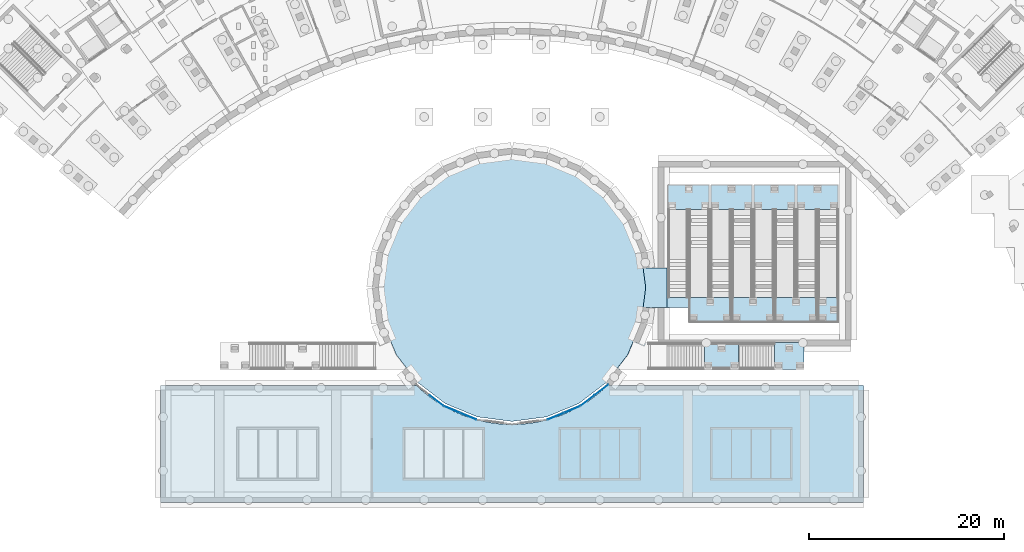
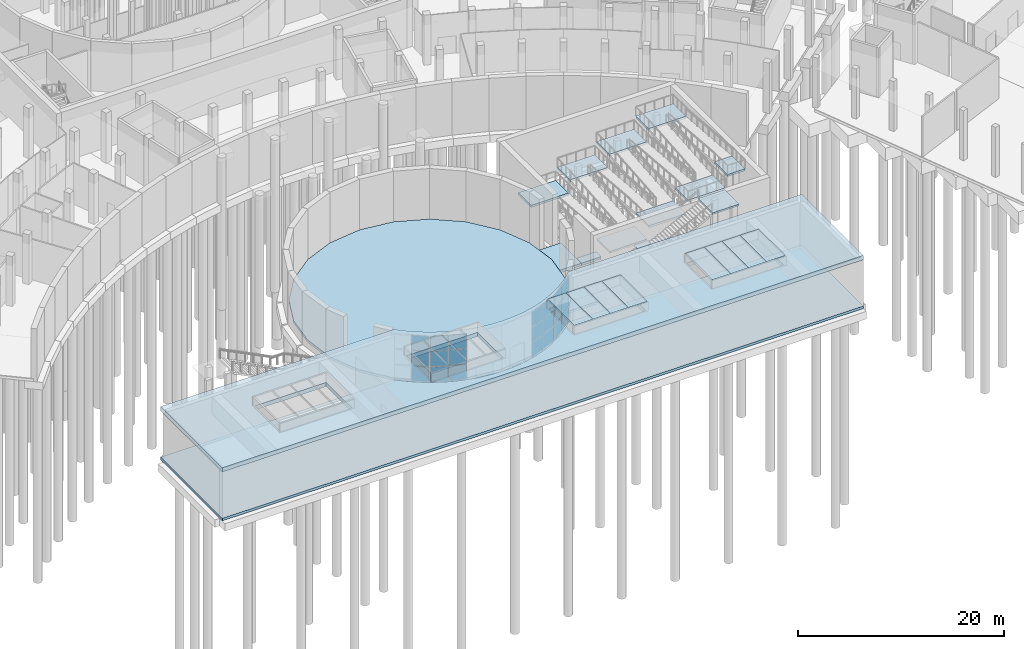
# One storey, part 16 of 66: 29 plates, 16 slabs, 13 elements without a shape of their own.
"""IFC4 building model written with IfcOpenShell, lengths in metres."""

from ifc_helpers import new_model, si_unit, direction, frame, origin, origin_2d, place, context, subcontext, project, spatial, polyline, rectangle, outline, extrude, material, layer, layer_set, type_object, element, aggregate, save


model = new_model("IFC4")

# Units and contexts
model_context = context("Model", 3, precision=1e-05, world=origin(), true_north=direction((0.0, 1.0)))
body_context = subcontext(model_context, "Body", "Model", "MODEL_VIEW")
ifc_project = project(units=[si_unit("LENGTHUNIT", "METRE"), si_unit("AREAUNIT", "SQUARE_METRE"), si_unit("VOLUMEUNIT", "CUBIC_METRE"), si_unit("PLANEANGLEUNIT", "RADIAN"), si_unit("MASSUNIT", "GRAM", prefix="KILO")], contexts=[model_context])

# Site, building, storey
site_placement = place(None, origin())
site = spatial("IfcSite", under=ifc_project, at=site_placement, CompositionType="ELEMENT")
building_placement = place(site_placement, origin())
building = spatial("IfcBuilding", under=site, at=building_placement, Name="Lunette Opera House", CompositionType="ELEMENT")
storey_placement = place(building_placement, frame((0.0, 0.0, -6.0)))
storey = spatial("IfcBuildingStorey", under=building, at=storey_placement, Name="B1", CompositionType="ELEMENT", Elevation=-6.0)

# Slabs
ifc_material_1 = material(Name="Concrete C35/45", Category="concrete")
ifc_layer_1 = layer(ifc_material_1, 0.300048828125)
ifc_layer_set_1 = layer_set([ifc_layer_1], Name="Concrete C35/45")
slab_type_1 = type_object("IfcSlabType", Name="BASE SLAB 300", PredefinedType="BASESLAB", material=ifc_layer_set_1)
slab_1_placement = place(storey_placement, frame((0.0, 0.0, -0.300048828125)))
element("IfcSlab", 1, at=slab_1_placement, inside=storey, type_object=slab_type_1, Name="slab-FC-B1-B1", PredefinedType="BASESLAB", context=body_context, shape_type="SweptSolid", body=[
    extrude(outline(polyline([(60.0, 4.0), (132.0, 4.0), (132.0, 16.0), (105.7939453125, 16.0), (105.402099609375, 15.626953125), (104.882080078125, 15.177978515625), (104.340087890625, 14.7548828125), (103.778076171875, 14.35888671875), (103.197021484375, 13.991943359375), (102.60009765625, 13.653076171875), (101.986083984375, 13.343994140625), (101.35791015625, 13.06591796875), (100.716064453125, 12.818115234375), (100.06396484375, 12.60302734375), (99.402099609375, 12.419921875), (98.73095703125, 12.26904296875), (98.053955078125, 12.152099609375), (97.3720703125, 12.06689453125), (96.68701171875, 12.01708984375), (96.0, 12.0), (95.31298828125, 12.01708984375), (94.6279296875, 12.06689453125), (93.946044921875, 12.152099609375), (93.26904296875, 12.26904296875), (92.597900390625, 12.419921875), (91.93603515625, 12.60302734375), (91.283935546875, 12.818115234375), (90.64208984375, 13.06591796875), (90.013916015625, 13.343994140625), (89.39990234375, 13.653076171875), (88.802978515625, 13.991943359375), (88.221923828125, 14.35888671875), (87.659912109375, 14.7548828125), (87.117919921875, 15.177978515625), (86.597900390625, 15.626953125), (86.2060546875, 16.0), (60.0, 16.0), (60.0, 4.0)])), origin(), (0.0, 0.0, 1.0), 0.300048828125),
])
ifc_material_2 = material(Name="Concrete C35/45", Category="concrete")
ifc_layer_2 = layer(ifc_material_2, 0.5)
ifc_layer_set_2 = layer_set([ifc_layer_2], Name="Concrete C35/45")
slab_type_2 = type_object("IfcSlabType", Name="CONCOURSE ROOF SLAB 500", PredefinedType="ROOF", material=ifc_layer_set_2)
slab_2_placement = place(storey_placement, frame((0.0, 0.0, 5.5)))
element("IfcSlab", 2, at=slab_2_placement, inside=storey, type_object=slab_type_2, Name="slab-SF-B1-CROOF", PredefinedType="ROOF", context=body_context, shape_type="SweptSolid", body=[
    extrude(outline(polyline([(132.0, 16.0), (105.7939453125, 16.0), (105.402099609375, 15.626953125), (104.882080078125, 15.177978515625), (104.340087890625, 14.7548828125), (103.778076171875, 14.35888671875), (103.197021484375, 13.991943359375), (102.60009765625, 13.653076171875), (101.986083984375, 13.343994140625), (101.35791015625, 13.06591796875), (100.716064453125, 12.818115234375), (100.06396484375, 12.60302734375), (99.402099609375, 12.419921875), (98.73095703125, 12.26904296875), (98.053955078125, 12.152099609375), (97.3720703125, 12.06689453125), (96.68701171875, 12.01708984375), (96.0, 12.0), (95.31298828125, 12.01708984375), (94.6279296875, 12.06689453125), (93.946044921875, 12.152099609375), (93.26904296875, 12.26904296875), (92.597900390625, 12.419921875), (91.93603515625, 12.60302734375), (91.283935546875, 12.818115234375), (90.64208984375, 13.06591796875), (90.013916015625, 13.343994140625), (89.39990234375, 13.653076171875), (88.802978515625, 13.991943359375), (88.221923828125, 14.35888671875), (87.659912109375, 14.7548828125), (87.117919921875, 15.177978515625), (86.597900390625, 15.626953125), (86.2060546875, 16.0), (60.0, 16.0), (60.0, 4.0), (132.0, 4.0), (132.0, 16.0)]), holes=[polyline([(68.0, 6.5), (76.0, 6.5), (76.0, 11.5), (68.0, 11.5), (68.0, 6.5)]), polyline([(85.0, 6.5), (93.0, 6.5), (93.0, 11.5), (85.0, 11.5), (85.0, 6.5)]), polyline([(101.0, 6.5), (109.0, 6.5), (109.0, 11.5), (101.0, 11.5), (101.0, 6.5)]), polyline([(116.5, 6.5), (124.5, 6.5), (124.5, 11.5), (116.5, 11.5), (116.5, 6.5)])]), origin(), (0.0, 0.0, 1.0), 0.5),
])
ifc_material_3 = material(Name="Concrete C35/45", Category="concrete")
ifc_layer_3 = layer(ifc_material_3, 0.300048828125)
ifc_layer_set_3 = layer_set([ifc_layer_3], Name="Concrete C35/45")
slab_type_3 = type_object("IfcSlabType", Name="COURT RAMP FOOT LANDING 300", PredefinedType="LANDING", material=ifc_layer_set_3)
slab_3_placement = place(storey_placement, frame((0.0, 0.0, -0.300048828125)))
element("IfcSlab", 3, at=slab_3_placement, inside=storey, type_object=slab_type_3, Name="slab-SF-B1-COURT-FR1", PredefinedType="LANDING", context=body_context, shape_type="SweptSolid", body=[
    extrude(outline(polyline([(111.89990234375, 28.0), (109.43408203125, 28.0), (109.697021484375, 26.0), (109.43408203125, 24.0), (111.89990234375, 24.0), (111.89990234375, 28.0)])), origin(), (0.0, 0.0, 1.0), 0.300048828125),
])
slab_4_placement = place(storey_placement, frame((0.0, 0.0, -0.300048828125)))
element("IfcSlab", 4, at=slab_4_placement, inside=storey, type_object=slab_type_3, Name="slab-SF-B1-COURT-FR2", PredefinedType="LANDING", context=body_context, shape_type="SweptSolid", body=[
    extrude(outline(polyline([(114.10009765625, 24.0), (114.10009765625, 25.0), (111.89990234375, 25.0), (111.89990234375, 24.0), (114.10009765625, 24.0)])), origin(), (0.0, 0.0, 1.0), 0.300048828125),
])
ifc_material_4 = material(Name="Concrete C35/45", Category="concrete")
ifc_layer_4 = layer(ifc_material_4, 0.300048828125)
ifc_layer_set_4 = layer_set([ifc_layer_4], Name="Concrete C35/45")
slab_type_4 = type_object("IfcSlabType", Name="COURT SLAB 300", PredefinedType="BASESLAB", material=ifc_layer_set_4)
slab_5_placement = place(storey_placement, frame((0.0, 0.0, -0.300048828125)))
element("IfcSlab", 5, at=slab_5_placement, inside=storey, type_object=slab_type_4, Name="slab-SF-B1-COURT", PredefinedType="BASESLAB", context=body_context, shape_type="SweptSolid", body=[
    extrude(outline(polyline([(96.0, 39.697021484375), (92.455078125, 39.23095703125), (89.15087890625, 37.862060546875), (86.31494140625, 35.68505859375), (84.137939453125, 32.84912109375), (82.76904296875, 29.544921875), (82.302978515625, 26.0), (82.76904296875, 22.455078125), (84.137939453125, 19.15087890625), (86.31494140625, 16.31494140625), (89.15087890625, 14.137939453125), (92.455078125, 12.76904296875), (96.0, 12.302978515625), (99.544921875, 12.76904296875), (102.84912109375, 14.137939453125), (105.68505859375, 16.31494140625), (107.862060546875, 19.15087890625), (109.23095703125, 22.455078125), (109.697021484375, 26.0), (109.23095703125, 29.544921875), (107.862060546875, 32.84912109375), (105.68505859375, 35.68505859375), (102.84912109375, 37.862060546875), (99.544921875, 39.23095703125), (96.0, 39.697021484375)])), origin(), (0.0, 0.0, 1.0), 0.300048828125),
])
slab_6_placement = place(storey_placement, frame((0.0, 0.0, -0.300048828125)))
element("IfcSlab", 6, at=slab_6_placement, inside=storey, type_object=slab_type_4, Name="slab-SF-B1-COURT-FS-E", PredefinedType="BASESLAB", context=body_context, shape_type="SweptSolid", body=[
    extrude(outline(polyline([(110.0, 20.39990234375), (108.37890625, 20.39990234375), (107.862060546875, 19.15087890625), (106.6708984375, 17.60009765625), (110.0, 17.60009765625), (110.0, 20.39990234375)])), origin(), (0.0, 0.0, 1.0), 0.300048828125),
])

# Curtain wall, plates
ifc_material_5 = material(Name="Aluminium", Category="aluminium")
ifc_layer_5 = layer(ifc_material_5, 0.139892578125)
ifc_layer_set_5 = layer_set([ifc_layer_5], Name="Aluminium")
curtain_wall_type = type_object("IfcCurtainWallType", Name="COURT SCREEN CURTAIN WALL", PredefinedType="NOTDEFINED", material=ifc_layer_set_5)
curtain_wall_1_placement = place(storey_placement, origin())
curtain_wall_1 = element("IfcCurtainWall", 7, at=curtain_wall_1_placement, inside=storey, type_object=curtain_wall_type, Name="Court Screen Curtain Wall CSCW10 B1", PredefinedType="NOTDEFINED")
ifc_material_6 = material(Name="Laminated glass", Category="glass")
ifc_layer_6 = layer(ifc_material_6, 0.028076171875)
ifc_layer_set_6 = layer_set([ifc_layer_6], Name="Laminated glass")
plate_type_1 = type_object("IfcPlateType", Name="CURTAIN PANEL LAMINATED GLASS 28", PredefinedType="CURTAIN_PANEL", material=ifc_layer_set_6)
plate_1_placement = place(storey_placement, frame((105.162353515625, 15.53564453125, 0.06005859375), z_axis=(0.0, 0.0, 1.0), x_axis=(-0.793284736887, -0.608850824277, 0.0)))
plate_1 = element("IfcPlate", 8, at=plate_1_placement, type_object=plate_type_1, Name="SF-X2001 panel 1.1", PredefinedType="CURTAIN_PANEL", context=body_context, shape_type="SweptSolid", body=[
    extrude(rectangle(XDim=1.7373046875, YDim=0.028076171875, at=origin_2d()), origin(), (0.0, 0.0, 1.0), 1.742919921875),
])
plate_2_placement = place(storey_placement, frame((105.162353515625, 15.53564453125, 1.863037109375), z_axis=(0.0, 0.0, 1.0), x_axis=(-0.793284736887, -0.608850824277, 0.0)))
plate_2 = element("IfcPlate", 9, at=plate_2_placement, type_object=plate_type_1, Name="SF-X2001 panel 1.2", PredefinedType="CURTAIN_PANEL", context=body_context, shape_type="SweptSolid", body=[
    extrude(rectangle(XDim=1.7373046875, YDim=0.028076171875, at=origin_2d()), origin(), (0.0, 0.0, 1.0), 1.77392578125),
])
plate_3_placement = place(storey_placement, frame((105.162353515625, 15.53564453125, 3.697265625), z_axis=(0.0, 0.0, 1.0), x_axis=(-0.793284736887, -0.608850824277, 0.0)))
plate_3 = element("IfcPlate", 10, at=plate_3_placement, type_object=plate_type_1, Name="SF-X2001 panel 1.3", PredefinedType="CURTAIN_PANEL", context=body_context, shape_type="SweptSolid", body=[
    extrude(rectangle(XDim=1.7373046875, YDim=0.028076171875, at=origin_2d()), origin(), (0.0, 0.0, 1.0), 1.742919921875),
])
plate_4_placement = place(storey_placement, frame((103.736572265625, 14.44140625, 0.06005859375), z_axis=(0.0, 0.0, 1.0), x_axis=(-0.793284736887, -0.608850824277, 0.0)))
plate_4 = element("IfcPlate", 11, at=plate_4_placement, type_object=plate_type_1, Name="SF-X2001 panel 2.1", PredefinedType="CURTAIN_PANEL", context=body_context, shape_type="SweptSolid", body=[
    extrude(rectangle(XDim=1.7373046875, YDim=0.028076171875, at=origin_2d()), origin(), (0.0, 0.0, 1.0), 1.742919921875),
])
plate_5_placement = place(storey_placement, frame((103.736572265625, 14.44140625, 1.863037109375), z_axis=(0.0, 0.0, 1.0), x_axis=(-0.793284736887, -0.608850824277, 0.0)))
plate_5 = element("IfcPlate", 12, at=plate_5_placement, type_object=plate_type_1, Name="SF-X2001 panel 2.2", PredefinedType="CURTAIN_PANEL", context=body_context, shape_type="SweptSolid", body=[
    extrude(rectangle(XDim=1.7373046875, YDim=0.028076171875, at=origin_2d()), origin(), (0.0, 0.0, 1.0), 1.77392578125),
])
plate_6_placement = place(storey_placement, frame((103.736572265625, 14.44140625, 3.697265625), z_axis=(0.0, 0.0, 1.0), x_axis=(-0.793284736887, -0.608850824277, 0.0)))
plate_6 = element("IfcPlate", 13, at=plate_6_placement, type_object=plate_type_1, Name="SF-X2001 panel 2.3", PredefinedType="CURTAIN_PANEL", context=body_context, shape_type="SweptSolid", body=[
    extrude(rectangle(XDim=1.7373046875, YDim=0.028076171875, at=origin_2d()), origin(), (0.0, 0.0, 1.0), 1.742919921875),
])
aggregate(curtain_wall_1, [plate_1, plate_2, plate_3, plate_4, plate_5, plate_6])

curtain_wall_2_placement = place(storey_placement, origin())
curtain_wall_2 = element("IfcCurtainWall", 14, at=curtain_wall_2_placement, inside=storey, type_object=curtain_wall_type, Name="Court Screen Curtain Wall CSCW11 B1", PredefinedType="NOTDEFINED")
plate_7_placement = place(storey_placement, frame((102.141845703125, 13.5205078125, 0.06005859375), z_axis=(0.0, 0.0, 1.0), x_axis=(-0.923860109341, -0.38273032068, 0.0)))
plate_7 = element("IfcPlate", 15, at=plate_7_placement, type_object=plate_type_1, Name="SF-X2002 panel 1.1", PredefinedType="CURTAIN_PANEL", context=body_context, shape_type="SweptSolid", body=[
    extrude(rectangle(XDim=1.737548828125, YDim=0.028076171875, at=origin_2d()), origin(), (0.0, 0.0, 1.0), 1.742919921875),
])
plate_8_placement = place(storey_placement, frame((102.141845703125, 13.5205078125, 1.863037109375), z_axis=(0.0, 0.0, 1.0), x_axis=(-0.923860109341, -0.38273032068, 0.0)))
plate_8 = element("IfcPlate", 16, at=plate_8_placement, type_object=plate_type_1, Name="SF-X2002 panel 1.2", PredefinedType="CURTAIN_PANEL", context=body_context, shape_type="SweptSolid", body=[
    extrude(rectangle(XDim=1.737548828125, YDim=0.028076171875, at=origin_2d()), origin(), (0.0, 0.0, 1.0), 1.77392578125),
])
plate_9_placement = place(storey_placement, frame((102.141845703125, 13.5205078125, 3.697265625), z_axis=(0.0, 0.0, 1.0), x_axis=(-0.923860109341, -0.38273032068, 0.0)))
plate_9 = element("IfcPlate", 17, at=plate_9_placement, type_object=plate_type_1, Name="SF-X2002 panel 1.3", PredefinedType="CURTAIN_PANEL", context=body_context, shape_type="SweptSolid", body=[
    extrude(rectangle(XDim=1.737548828125, YDim=0.028076171875, at=origin_2d()), origin(), (0.0, 0.0, 1.0), 1.742919921875),
])
plate_10_placement = place(storey_placement, frame((100.481201171875, 12.83251953125, 0.06005859375), z_axis=(0.0, 0.0, 1.0), x_axis=(-0.923860109341, -0.38273032068, 0.0)))
plate_10 = element("IfcPlate", 18, at=plate_10_placement, type_object=plate_type_1, Name="SF-X2002 panel 2.1", PredefinedType="CURTAIN_PANEL", context=body_context, shape_type="SweptSolid", body=[
    extrude(rectangle(XDim=1.737548828125, YDim=0.028076171875, at=origin_2d()), origin(), (0.0, 0.0, 1.0), 1.742919921875),
])
plate_11_placement = place(storey_placement, frame((100.481201171875, 12.83251953125, 1.863037109375), z_axis=(0.0, 0.0, 1.0), x_axis=(-0.923860109341, -0.38273032068, 0.0)))
plate_11 = element("IfcPlate", 19, at=plate_11_placement, type_object=plate_type_1, Name="SF-X2002 panel 2.2", PredefinedType="CURTAIN_PANEL", context=body_context, shape_type="SweptSolid", body=[
    extrude(rectangle(XDim=1.737548828125, YDim=0.028076171875, at=origin_2d()), origin(), (0.0, 0.0, 1.0), 1.77392578125),
])
plate_12_placement = place(storey_placement, frame((100.481201171875, 12.83251953125, 3.697265625), z_axis=(0.0, 0.0, 1.0), x_axis=(-0.923860109341, -0.38273032068, 0.0)))
plate_12 = element("IfcPlate", 20, at=plate_12_placement, type_object=plate_type_1, Name="SF-X2002 panel 2.3", PredefinedType="CURTAIN_PANEL", context=body_context, shape_type="SweptSolid", body=[
    extrude(rectangle(XDim=1.737548828125, YDim=0.028076171875, at=origin_2d()), origin(), (0.0, 0.0, 1.0), 1.742919921875),
])
aggregate(curtain_wall_2, [plate_7, plate_8, plate_9, plate_10, plate_11, plate_12])

curtain_wall_3_placement = place(storey_placement, origin())
curtain_wall_3 = element("IfcCurtainWall", 21, at=curtain_wall_3_placement, inside=storey, type_object=curtain_wall_type, Name="Court Screen Curtain Wall CSCW14 B1", PredefinedType="NOTDEFINED")
plate_13_placement = place(storey_placement, frame((91.518798828125, 12.83251953125, 0.06005859375), z_axis=(0.0, 0.0, 1.0), x_axis=(-0.923860109341, 0.38273032068, 0.0)))
plate_13 = element("IfcPlate", 22, at=plate_13_placement, type_object=plate_type_1, Name="SF-X2003 panel 1.1", PredefinedType="CURTAIN_PANEL", context=body_context, shape_type="SweptSolid", body=[
    extrude(rectangle(XDim=1.737548828125, YDim=0.028076171875, at=origin_2d()), origin(), (0.0, 0.0, 1.0), 1.742919921875),
])
plate_14_placement = place(storey_placement, frame((91.518798828125, 12.83251953125, 1.863037109375), z_axis=(0.0, 0.0, 1.0), x_axis=(-0.923860109341, 0.38273032068, 0.0)))
plate_14 = element("IfcPlate", 23, at=plate_14_placement, type_object=plate_type_1, Name="SF-X2003 panel 1.2", PredefinedType="CURTAIN_PANEL", context=body_context, shape_type="SweptSolid", body=[
    extrude(rectangle(XDim=1.737548828125, YDim=0.028076171875, at=origin_2d()), origin(), (0.0, 0.0, 1.0), 1.77392578125),
])
plate_15_placement = place(storey_placement, frame((91.518798828125, 12.83251953125, 3.697265625), z_axis=(0.0, 0.0, 1.0), x_axis=(-0.923860109341, 0.38273032068, 0.0)))
plate_15 = element("IfcPlate", 24, at=plate_15_placement, type_object=plate_type_1, Name="SF-X2003 panel 1.3", PredefinedType="CURTAIN_PANEL", context=body_context, shape_type="SweptSolid", body=[
    extrude(rectangle(XDim=1.737548828125, YDim=0.028076171875, at=origin_2d()), origin(), (0.0, 0.0, 1.0), 1.742919921875),
])
plate_16_placement = place(storey_placement, frame((89.858154296875, 13.5205078125, 0.06005859375), z_axis=(0.0, 0.0, 1.0), x_axis=(-0.923860109341, 0.38273032068, 0.0)))
plate_16 = element("IfcPlate", 25, at=plate_16_placement, type_object=plate_type_1, Name="SF-X2003 panel 2.1", PredefinedType="CURTAIN_PANEL", context=body_context, shape_type="SweptSolid", body=[
    extrude(rectangle(XDim=1.737548828125, YDim=0.028076171875, at=origin_2d()), origin(), (0.0, 0.0, 1.0), 1.742919921875),
])
plate_17_placement = place(storey_placement, frame((89.858154296875, 13.5205078125, 1.863037109375), z_axis=(0.0, 0.0, 1.0), x_axis=(-0.923860109341, 0.38273032068, 0.0)))
plate_17 = element("IfcPlate", 26, at=plate_17_placement, type_object=plate_type_1, Name="SF-X2003 panel 2.2", PredefinedType="CURTAIN_PANEL", context=body_context, shape_type="SweptSolid", body=[
    extrude(rectangle(XDim=1.737548828125, YDim=0.028076171875, at=origin_2d()), origin(), (0.0, 0.0, 1.0), 1.77392578125),
])
plate_18_placement = place(storey_placement, frame((89.858154296875, 13.5205078125, 3.697265625), z_axis=(0.0, 0.0, 1.0), x_axis=(-0.923860109341, 0.38273032068, 0.0)))
plate_18 = element("IfcPlate", 27, at=plate_18_placement, type_object=plate_type_1, Name="SF-X2003 panel 2.3", PredefinedType="CURTAIN_PANEL", context=body_context, shape_type="SweptSolid", body=[
    extrude(rectangle(XDim=1.737548828125, YDim=0.028076171875, at=origin_2d()), origin(), (0.0, 0.0, 1.0), 1.742919921875),
])
aggregate(curtain_wall_3, [plate_13, plate_14, plate_15, plate_16, plate_17, plate_18])

curtain_wall_4_placement = place(storey_placement, origin())
curtain_wall_4 = element("IfcCurtainWall", 28, at=curtain_wall_4_placement, inside=storey, type_object=curtain_wall_type, Name="Court Screen Curtain Wall CSCW15 B1", PredefinedType="NOTDEFINED")
plate_19_placement = place(storey_placement, frame((88.263427734375, 14.44140625, 0.06005859375), z_axis=(0.0, 0.0, 1.0), x_axis=(-0.793284736887, 0.608850824277, 0.0)))
plate_19 = element("IfcPlate", 29, at=plate_19_placement, type_object=plate_type_1, Name="SF-X2004 panel 1.1", PredefinedType="CURTAIN_PANEL", context=body_context, shape_type="SweptSolid", body=[
    extrude(rectangle(XDim=1.7373046875, YDim=0.028076171875, at=origin_2d()), origin(), (0.0, 0.0, 1.0), 1.742919921875),
])
plate_20_placement = place(storey_placement, frame((88.263427734375, 14.44140625, 1.863037109375), z_axis=(0.0, 0.0, 1.0), x_axis=(-0.793284736887, 0.608850824277, 0.0)))
plate_20 = element("IfcPlate", 30, at=plate_20_placement, type_object=plate_type_1, Name="SF-X2004 panel 1.2", PredefinedType="CURTAIN_PANEL", context=body_context, shape_type="SweptSolid", body=[
    extrude(rectangle(XDim=1.7373046875, YDim=0.028076171875, at=origin_2d()), origin(), (0.0, 0.0, 1.0), 1.77392578125),
])
plate_21_placement = place(storey_placement, frame((88.263427734375, 14.44140625, 3.697265625), z_axis=(0.0, 0.0, 1.0), x_axis=(-0.793284736887, 0.608850824277, 0.0)))
plate_21 = element("IfcPlate", 31, at=plate_21_placement, type_object=plate_type_1, Name="SF-X2004 panel 1.3", PredefinedType="CURTAIN_PANEL", context=body_context, shape_type="SweptSolid", body=[
    extrude(rectangle(XDim=1.7373046875, YDim=0.028076171875, at=origin_2d()), origin(), (0.0, 0.0, 1.0), 1.742919921875),
])
aggregate(curtain_wall_4, [plate_19, plate_20, plate_21])

# Ramp, slab
ifc_material_7 = material(Name="Concrete C35/45", Category="concrete")
ramp_type = type_object("IfcRampType", Name="FORECOURT RAMP 2000", PredefinedType="STRAIGHT_RUN_RAMP", material=ifc_material_7)
ramp_1_placement = place(storey_placement, origin())
ramp_1 = element("IfcRamp", 32, at=ramp_1_placement, inside=storey, type_object=ramp_type, Name="Forecourt ramp FR1", PredefinedType="STRAIGHT_RUN_RAMP")
ifc_material_8 = material(Name="Concrete C35/45", Category="concrete")
ifc_layer_7 = layer(ifc_material_8, 0.25)
ifc_layer_set_7 = layer_set([ifc_layer_7], Name="Concrete C35/45")
slab_type_5 = type_object("IfcSlabType", Name="FORECOURT RAMP LANDING 250", PredefinedType="LANDING", material=ifc_layer_set_7)
slab_7_placement = place(storey_placement, frame((0.0, 0.0, 0.5)))
slab_7 = element("IfcSlab", 33, at=slab_7_placement, type_object=slab_type_5, Name="Forecourt ramp FR1 landing", PredefinedType="LANDING", context=body_context, shape_type="SweptSolid", body=[
    extrude(outline(polyline([(112.0, 34.0), (116.199951171875, 34.0), (116.199951171875, 36.5), (112.0, 36.5), (112.0, 34.0)])), origin(), (0.0, 0.0, 1.0), 0.25),
])
aggregate(ramp_1, [slab_7])

ramp_2_placement = place(storey_placement, origin())
ramp_2 = element("IfcRamp", 34, at=ramp_2_placement, inside=storey, type_object=ramp_type, Name="Forecourt ramp FR2", PredefinedType="STRAIGHT_RUN_RAMP")
slab_8_placement = place(storey_placement, frame((0.0, 0.0, 1.25)))
slab_8 = element("IfcSlab", 35, at=slab_8_placement, type_object=slab_type_5, Name="Forecourt ramp FR2 landing", PredefinedType="LANDING", context=body_context, shape_type="SweptSolid", body=[
    extrude(outline(polyline([(114.199951171875, 22.5), (118.39990234375, 22.5), (118.39990234375, 25.0), (114.199951171875, 25.0), (114.199951171875, 22.5)])), origin(), (0.0, 0.0, 1.0), 0.25),
])
aggregate(ramp_2, [slab_8])

ramp_3_placement = place(storey_placement, origin())
ramp_3 = element("IfcRamp", 36, at=ramp_3_placement, inside=storey, type_object=ramp_type, Name="Forecourt ramp FR3", PredefinedType="STRAIGHT_RUN_RAMP")
slab_9_placement = place(storey_placement, frame((0.0, 0.0, 2.0)))
slab_9 = element("IfcSlab", 37, at=slab_9_placement, type_object=slab_type_5, Name="Forecourt ramp FR3 landing", PredefinedType="LANDING", context=body_context, shape_type="SweptSolid", body=[
    extrude(outline(polyline([(116.39990234375, 34.0), (120.60009765625, 34.0), (120.60009765625, 36.5), (116.39990234375, 36.5), (116.39990234375, 34.0)])), origin(), (0.0, 0.0, 1.0), 0.25),
])
aggregate(ramp_3, [slab_9])

ramp_4_placement = place(storey_placement, origin())
ramp_4 = element("IfcRamp", 38, at=ramp_4_placement, inside=storey, type_object=ramp_type, Name="Forecourt ramp FR4", PredefinedType="STRAIGHT_RUN_RAMP")
slab_10_placement = place(storey_placement, frame((0.0, 0.0, 2.75)))
slab_10 = element("IfcSlab", 39, at=slab_10_placement, type_object=slab_type_5, Name="Forecourt ramp FR4 landing", PredefinedType="LANDING", context=body_context, shape_type="SweptSolid", body=[
    extrude(outline(polyline([(118.60009765625, 22.5), (122.800048828125, 22.5), (122.800048828125, 25.0), (118.60009765625, 25.0), (118.60009765625, 22.5)])), origin(), (0.0, 0.0, 1.0), 0.25),
])
aggregate(ramp_4, [slab_10])

ramp_5_placement = place(storey_placement, origin())
ramp_5 = element("IfcRamp", 40, at=ramp_5_placement, inside=storey, type_object=ramp_type, Name="Forecourt ramp FR5", PredefinedType="STRAIGHT_RUN_RAMP")
slab_11_placement = place(storey_placement, frame((0.0, 0.0, 3.5)))
slab_11 = element("IfcSlab", 41, at=slab_11_placement, type_object=slab_type_5, Name="Forecourt ramp FR5 landing", PredefinedType="LANDING", context=body_context, shape_type="SweptSolid", body=[
    extrude(outline(polyline([(120.800048828125, 34.0), (125.0, 34.0), (125.0, 36.5), (120.800048828125, 36.5), (120.800048828125, 34.0)])), origin(), (0.0, 0.0, 1.0), 0.25),
])
aggregate(ramp_5, [slab_11])

ramp_6_placement = place(storey_placement, origin())
ramp_6 = element("IfcRamp", 42, at=ramp_6_placement, inside=storey, type_object=ramp_type, Name="Forecourt ramp FR6", PredefinedType="STRAIGHT_RUN_RAMP")
slab_12_placement = place(storey_placement, frame((0.0, 0.0, 4.25)))
slab_12 = element("IfcSlab", 43, at=slab_12_placement, type_object=slab_type_5, Name="Forecourt ramp FR6 landing", PredefinedType="LANDING", context=body_context, shape_type="SweptSolid", body=[
    extrude(outline(polyline([(123.0, 22.5), (127.199951171875, 22.5), (127.199951171875, 25.0), (123.0, 25.0), (123.0, 22.5)])), origin(), (0.0, 0.0, 1.0), 0.25),
])
aggregate(ramp_6, [slab_12])

ramp_7_placement = place(storey_placement, origin())
ramp_7 = element("IfcRamp", 44, at=ramp_7_placement, inside=storey, type_object=ramp_type, Name="Forecourt ramp FR7", PredefinedType="STRAIGHT_RUN_RAMP")
slab_13_placement = place(storey_placement, frame((0.0, 0.0, 5.0)))
slab_13 = element("IfcSlab", 45, at=slab_13_placement, type_object=slab_type_5, Name="Forecourt ramp FR7 landing", PredefinedType="LANDING", context=body_context, shape_type="SweptSolid", body=[
    extrude(outline(polyline([(125.199951171875, 34.0), (129.39990234375, 34.0), (129.39990234375, 36.5), (125.199951171875, 36.5), (125.199951171875, 34.0)])), origin(), (0.0, 0.0, 1.0), 0.25),
])
aggregate(ramp_7, [slab_13])

ramp_8_placement = place(storey_placement, origin())
ramp_8 = element("IfcRamp", 46, at=ramp_8_placement, inside=storey, type_object=ramp_type, Name="Forecourt ramp FR8", PredefinedType="STRAIGHT_RUN_RAMP")
slab_14_placement = place(storey_placement, frame((0.0, 0.0, 5.75)))
slab_14 = element("IfcSlab", 47, at=slab_14_placement, type_object=slab_type_5, Name="Forecourt ramp FR8 landing", PredefinedType="LANDING", context=body_context, shape_type="SweptSolid", body=[
    extrude(outline(polyline([(127.39990234375, 22.5), (129.39990234375, 22.5), (129.39990234375, 25.0), (127.39990234375, 25.0), (127.39990234375, 22.5)])), origin(), (0.0, 0.0, 1.0), 0.25),
])
aggregate(ramp_8, [slab_14])

# Stair, slabs
ifc_material_9 = material(Name="Concrete C35/45", Category="concrete")
stair_type = type_object("IfcStairType", Name="FORECOURT STAIR 4000", PredefinedType="STRAIGHT_RUN_STAIR", material=ifc_material_9)
stair_placement = place(storey_placement, origin())
stair = element("IfcStair", 48, at=stair_placement, inside=storey, type_object=stair_type, Name="Forecourt stair FS2", PredefinedType="STRAIGHT_RUN_STAIR")
ifc_material_10 = material(Name="Concrete C35/45", Category="concrete")
ifc_layer_8 = layer(ifc_material_10, 0.199951171875)
ifc_layer_set_8 = layer_set([ifc_layer_8], Name="Concrete C35/45")
slab_type_6 = type_object("IfcSlabType", Name="FORECOURT STAIR LANDING 200", PredefinedType="LANDING", material=ifc_layer_set_8)
slab_15_placement = place(storey_placement, frame((0.0, 0.0, 2.800048828125)))
slab_15 = element("IfcSlab", 49, at=slab_15_placement, type_object=slab_type_6, Name="FS2 landing 1", PredefinedType="LANDING", context=body_context, shape_type="SweptSolid", body=[
    extrude(outline(polyline([(115.699951171875, 17.60009765625), (115.699951171875, 20.39990234375), (119.199951171875, 20.39990234375), (119.199951171875, 17.60009765625), (115.699951171875, 17.60009765625)])), origin(), (0.0, 0.0, 1.0), 0.199951171875),
])
slab_16_placement = place(storey_placement, frame((0.0, 0.0, 5.800048828125)))
slab_16 = element("IfcSlab", 50, at=slab_16_placement, type_object=slab_type_6, Name="FS2 landing 2", PredefinedType="LANDING", context=body_context, shape_type="SweptSolid", body=[
    extrude(outline(polyline([(122.89990234375, 17.60009765625), (125.89990234375, 17.60009765625), (125.89990234375, 20.39990234375), (122.89990234375, 20.39990234375), (122.89990234375, 17.60009765625)])), origin(), (0.0, 0.0, 1.0), 0.199951171875),
])
aggregate(stair, [slab_15, slab_16])

# Plates
ifc_material_11 = material(Name="Laminated glass", Category="glass")
ifc_layer_9 = layer(ifc_material_11, 0.02392578125)
ifc_layer_set_9 = layer_set([ifc_layer_9], Name="Laminated glass")
plate_type_2 = type_object("IfcPlateType", Name="ROOFLIGHT GLASS 24", PredefinedType="SHEET", material=ifc_layer_set_9)
plate_22_placement = place(storey_placement, frame((100.89990234375, 6.39990234375, 7.1240234375), z_axis=(0.0, 0.0, 1.0), x_axis=(1.0, 0.0, 0.0)))
element("IfcPlate", 51, at=plate_22_placement, inside=storey, type_object=plate_type_2, Name="Rooflight glass RL3 1", PredefinedType="SHEET", context=body_context, shape_type="SweptSolid", body=[
    extrude(outline(polyline([(0.0, 0.0), (2.10009765625, 0.0), (2.10009765625, 5.2001953125), (0.0, 5.2001953125), (0.0, 0.0)])), origin(), (0.0, 0.0, -1.0), 0.02392578125),
])
for number, where, z_axis, x_axis, name in (
    (52, (103.0, 6.39990234375, 7.1240234375), (0.0, 0.0, 1.0), (1.0, 0.0, 0.0), "Rooflight glass RL3 2"),
    (53, (105.0, 6.39990234375, 7.1240234375), (0.0, 0.0, 1.0), (1.0, 0.0, 0.0), "Rooflight glass RL3 3"),
):
    element("IfcPlate", number, at=place(storey_placement, frame(where, z_axis=z_axis, x_axis=x_axis)), inside=storey, type_object=plate_type_2, Name=name, PredefinedType="SHEET", context=body_context, shape_type="SweptSolid", body=[
        extrude(outline(polyline([(0.0, 0.0), (2.0, 0.0), (2.0, 5.2001953125), (0.0, 5.2001953125), (0.0, 0.0)])), origin(), (0.0, 0.0, -1.0), 0.02392578125),
    ])
for number, where, z_axis, x_axis, name in (
    (54, (107.0, 6.39990234375, 7.1240234375), (0.0, 0.0, 1.0), (1.0, 0.0, 0.0), "Rooflight glass RL3 4"),
    (55, (116.39990234375, 6.39990234375, 7.1240234375), (0.0, 0.0, 1.0), (1.0, 0.0, 0.0), "Rooflight glass RL4 1"),
):
    element("IfcPlate", number, at=place(storey_placement, frame(where, z_axis=z_axis, x_axis=x_axis)), inside=storey, type_object=plate_type_2, Name=name, PredefinedType="SHEET", context=body_context, shape_type="SweptSolid", body=[
        extrude(outline(polyline([(0.0, 0.0), (2.10009765625, 0.0), (2.10009765625, 5.2001953125), (0.0, 5.2001953125), (0.0, 0.0)])), origin(), (0.0, 0.0, -1.0), 0.02392578125),
    ])
for number, where, z_axis, x_axis, name in (
    (56, (118.5, 6.39990234375, 7.1240234375), (0.0, 0.0, 1.0), (1.0, 0.0, 0.0), "Rooflight glass RL4 2"),
    (57, (120.5, 6.39990234375, 7.1240234375), (0.0, 0.0, 1.0), (1.0, 0.0, 0.0), "Rooflight glass RL4 3"),
):
    element("IfcPlate", number, at=place(storey_placement, frame(where, z_axis=z_axis, x_axis=x_axis)), inside=storey, type_object=plate_type_2, Name=name, PredefinedType="SHEET", context=body_context, shape_type="SweptSolid", body=[
        extrude(outline(polyline([(0.0, 0.0), (2.0, 0.0), (2.0, 5.2001953125), (0.0, 5.2001953125), (0.0, 0.0)])), origin(), (0.0, 0.0, -1.0), 0.02392578125),
    ])
plate_23_placement = place(storey_placement, frame((122.5, 6.39990234375, 7.1240234375), z_axis=(0.0, 0.0, 1.0), x_axis=(1.0, 0.0, 0.0)))
element("IfcPlate", 58, at=plate_23_placement, inside=storey, type_object=plate_type_2, Name="Rooflight glass RL4 4", PredefinedType="SHEET", context=body_context, shape_type="SweptSolid", body=[
    extrude(outline(polyline([(0.0, 0.0), (2.10009765625, 0.0), (2.10009765625, 5.2001953125), (0.0, 5.2001953125), (0.0, 0.0)])), origin(), (0.0, 0.0, -1.0), 0.02392578125),
])

save(model, "model.ifc")
